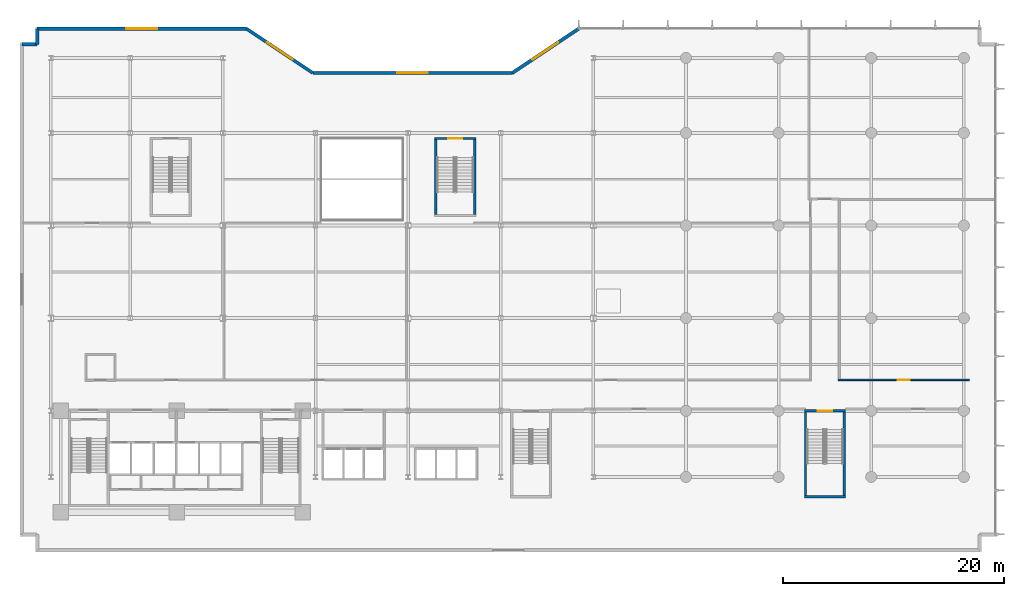
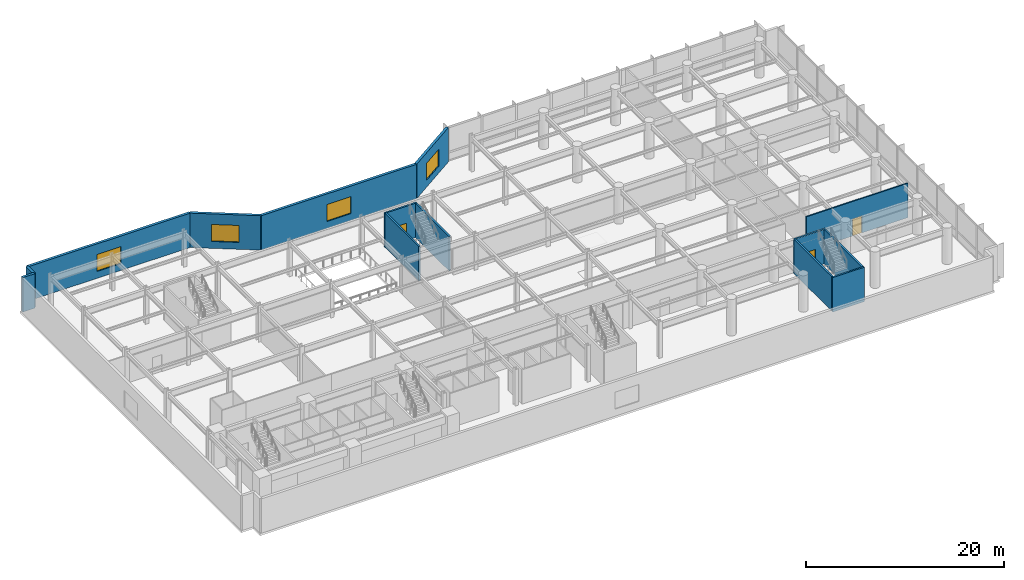
# One storey, part 17 of 26: 14 walls, 4 windows, 3 doors, 7 openings.
"""IFC4 building model written with IfcOpenShell, lengths in metres."""

from ifc_helpers import new_model, si_unit, direction, frame, frame_2d, origin, place, context, subcontext, project, spatial, rectangle, extrude, material, layer, layer_set, type_object, element, fill, save


model = new_model("IFC4")

# Units and contexts
model_context = context("Model", 3, precision=1e-05, world=origin(), true_north=direction((0.0, 1.0)))
body_context = subcontext(model_context, "Body", "Model", "MODEL_VIEW")
ifc_project = project(units=[si_unit("LENGTHUNIT", "METRE"), si_unit("AREAUNIT", "SQUARE_METRE"), si_unit("VOLUMEUNIT", "CUBIC_METRE"), si_unit("PLANEANGLEUNIT", "RADIAN"), si_unit("MASSUNIT", "GRAM", prefix="KILO")], contexts=[model_context])

# Site, building, storey
site_placement = place(None, origin())
site = spatial("IfcSite", under=ifc_project, at=site_placement, CompositionType="ELEMENT")
building_placement = place(site_placement, origin())
building = spatial("IfcBuilding", under=site, at=building_placement, Name="Varnakote Quay Hospital", CompositionType="ELEMENT")
storey_placement = place(building_placement, frame((0.0, 0.0, 4.5)))
storey = spatial("IfcBuildingStorey", under=building, at=storey_placement, Name="L01", CompositionType="ELEMENT", Elevation=4.5)

# Wall, opening, window
ifc_material_1 = material(Name="Precast concrete N50 (f'c 50 MPa)", Category="concrete")
ifc_layer_1 = layer(ifc_material_1, 0.300048828125)
ifc_layer_set_1 = layer_set([ifc_layer_1], Name="Precast concrete N50 (f'c 50 MPa)")
wall_type_1 = type_object("IfcWallType", Name="WL-EXT-BRICK-300", PredefinedType="STANDARD", material=ifc_layer_set_1)
wall_1_placement = place(storey_placement, frame((49.04833984375, 46.639892578125, 0.0), z_axis=(0.0, 0.0, 1.0), x_axis=(-0.832050294338, -0.554700196225, 0.0)))
wall_1 = element("IfcWall", 1, at=wall_1_placement, inside=storey, type_object=wall_type_1, Name="L01 Brick-Faced Precast Exterior Wall", PredefinedType="STANDARD", context=body_context, shape_type="SweptSolid", body=[
    extrude(rectangle(XDim=7.211181640625, YDim=0.300048828125, at=frame_2d((3.60546875, 0.0))), origin(), (0.0, 0.0, 1.0), 4.25),
])
opening_1_placement = place(wall_1_placement, frame((2.20556640625, 0.0, 0.85009765625)))
opening_1 = element("IfcOpeningElement", 2, at=opening_1_placement, cuts=wall_1, Name="Opening WN-0008", PredefinedType="OPENING", context=body_context, shape_type="SweptSolid", body=[
    extrude(rectangle(XDim=2.800048828125, YDim=2.10009765625, at=frame_2d((1.39990234375, 1.050048828125))), frame((0.0, 0.159912109375, 0.0), z_axis=(0.0, -1.0, 0.0), x_axis=(1.0, 0.0, 0.0)), (0.0, 0.0, 1.0), 0.320068359375),
])
ifc_material_2 = material(Name="Double-glazed acoustic laminated glass", Category="glass")
window_type = type_object("IfcWindowType", Name="WIN-POD-2800x2100", PartitioningType="SINGLE_PANEL", PredefinedType="WINDOW", material=ifc_material_2)
window_1_placement = place(opening_1_placement, origin())
window_1 = element("IfcWindow", 3, at=window_1_placement, inside=storey, type_object=window_type, Name="L01 Solar-Control Clinical Window", OverallHeight=2.10009765625, OverallWidth=2.800048828125, PartitioningType="SINGLE_PANEL", PredefinedType="WINDOW", context=body_context, shape_type="SweptSolid", body=[
    extrude(rectangle(XDim=2.800048828125, YDim=2.10009765625, at=frame_2d((1.39990234375, 1.050048828125))), frame((0.0, 0.030029296875, 0.0), z_axis=(0.0, -1.0, 0.0), x_axis=(1.0, 0.0, 0.0)), (0.0, 0.0, 1.0), 0.06005859375),
])
fill(opening_1, window_1)

wall_2_placement = place(storey_placement, frame((43.04833984375, 42.639892578125, 0.0), z_axis=(0.0, 0.0, 1.0), x_axis=(-1.0, 0.0, 0.0)))
wall_2 = element("IfcWall", 4, at=wall_2_placement, inside=storey, type_object=wall_type_1, Name="L01 Brick-Faced Precast Exterior Wall", PredefinedType="STANDARD", context=body_context, shape_type="SweptSolid", body=[
    extrude(rectangle(XDim=18.0966796875, YDim=0.300048828125, at=frame_2d((9.04833984375, 0.0))), origin(), (0.0, 0.0, 1.0), 4.25),
])
opening_2_placement = place(wall_2_placement, frame((7.6484375, 0.0, 0.85009765625)))
opening_2 = element("IfcOpeningElement", 5, at=opening_2_placement, cuts=wall_2, Name="Opening WN-0009", PredefinedType="OPENING", context=body_context, shape_type="SweptSolid", body=[
    extrude(rectangle(XDim=2.800048828125, YDim=2.10009765625, at=frame_2d((1.39990234375, 1.050048828125))), frame((0.0, 0.159912109375, 0.0), z_axis=(0.0, -1.0, 0.0), x_axis=(1.0, 0.0, 0.0)), (0.0, 0.0, 1.0), 0.320068359375),
])
window_2_placement = place(opening_2_placement, origin())
window_2 = element("IfcWindow", 6, at=window_2_placement, inside=storey, type_object=window_type, Name="L01 Solar-Control Clinical Window", OverallHeight=2.10009765625, OverallWidth=2.800048828125, PartitioningType="SINGLE_PANEL", PredefinedType="WINDOW", context=body_context, shape_type="SweptSolid", body=[
    extrude(rectangle(XDim=2.800048828125, YDim=2.10009765625, at=frame_2d((1.39990234375, 1.050048828125))), frame((0.0, 0.030029296875, 0.0), z_axis=(0.0, -1.0, 0.0), x_axis=(1.0, 0.0, 0.0)), (0.0, 0.0, 1.0), 0.06005859375),
])
fill(opening_2, window_2)

wall_3_placement = place(storey_placement, frame((24.95166015625, 42.639892578125, 0.0), z_axis=(0.0, 0.0, 1.0), x_axis=(-0.832050294338, 0.554700196225, 0.0)))
wall_3 = element("IfcWall", 7, at=wall_3_placement, inside=storey, type_object=wall_type_1, Name="L01 Brick-Faced Precast Exterior Wall", PredefinedType="STANDARD", context=body_context, shape_type="SweptSolid", body=[
    extrude(rectangle(XDim=7.211181640625, YDim=0.300048828125, at=frame_2d((3.60546875, 0.0))), origin(), (0.0, 0.0, 1.0), 4.25),
])
opening_3_placement = place(wall_3_placement, frame((2.20556640625, 0.0, 0.85009765625)))
opening_3 = element("IfcOpeningElement", 8, at=opening_3_placement, cuts=wall_3, Name="Opening WN-0010", PredefinedType="OPENING", context=body_context, shape_type="SweptSolid", body=[
    extrude(rectangle(XDim=2.800048828125, YDim=2.10009765625, at=frame_2d((1.39990234375, 1.050048828125))), frame((0.0, 0.159912109375, 0.0), z_axis=(0.0, -1.0, 0.0), x_axis=(1.0, 0.0, 0.0)), (0.0, 0.0, 1.0), 0.320068359375),
])
window_3_placement = place(opening_3_placement, origin())
window_3 = element("IfcWindow", 9, at=window_3_placement, inside=storey, type_object=window_type, Name="L01 Solar-Control Clinical Window", OverallHeight=2.10009765625, OverallWidth=2.800048828125, PartitioningType="SINGLE_PANEL", PredefinedType="WINDOW", context=body_context, shape_type="SweptSolid", body=[
    extrude(rectangle(XDim=2.800048828125, YDim=2.10009765625, at=frame_2d((1.39990234375, 1.050048828125))), frame((0.0, 0.030029296875, 0.0), z_axis=(0.0, -1.0, 0.0), x_axis=(1.0, 0.0, 0.0)), (0.0, 0.0, 1.0), 0.06005859375),
])
fill(opening_3, window_3)

wall_4_placement = place(storey_placement, frame((18.95166015625, 46.639892578125, 0.0), z_axis=(0.0, 0.0, 1.0), x_axis=(-1.0, 0.0, 0.0)))
wall_4 = element("IfcWall", 10, at=wall_4_placement, inside=storey, type_object=wall_type_1, Name="L01 Brick-Faced Precast Exterior Wall", PredefinedType="STANDARD", context=body_context, shape_type="SweptSolid", body=[
    extrude(rectangle(XDim=18.99169921875, YDim=0.300048828125, at=frame_2d((9.495849609375, 0.0))), origin(), (0.0, 0.0, 1.0), 4.25),
])
opening_4_placement = place(wall_4_placement, frame((8.095703125, 0.0, 0.85009765625)))
opening_4 = element("IfcOpeningElement", 11, at=opening_4_placement, cuts=wall_4, Name="Opening WN-0011", PredefinedType="OPENING", context=body_context, shape_type="SweptSolid", body=[
    extrude(rectangle(XDim=2.800048828125, YDim=2.10009765625, at=frame_2d((1.39990234375, 1.050048828125))), frame((0.0, 0.159912109375, 0.0), z_axis=(0.0, -1.0, 0.0), x_axis=(1.0, 0.0, 0.0)), (0.0, 0.0, 1.0), 0.320068359375),
])
window_4_placement = place(opening_4_placement, origin())
window_4 = element("IfcWindow", 12, at=window_4_placement, inside=storey, type_object=window_type, Name="L01 Solar-Control Clinical Window", OverallHeight=2.10009765625, OverallWidth=2.800048828125, PartitioningType="SINGLE_PANEL", PredefinedType="WINDOW", context=body_context, shape_type="SweptSolid", body=[
    extrude(rectangle(XDim=2.800048828125, YDim=2.10009765625, at=frame_2d((1.39990234375, 1.050048828125))), frame((0.0, 0.030029296875, 0.0), z_axis=(0.0, -1.0, 0.0), x_axis=(1.0, 0.0, 0.0)), (0.0, 0.0, 1.0), 0.06005859375),
])
fill(opening_4, window_4)

# Walls
for number, where, z_axis, x_axis, name in (
    (13, (-0.0400390625, 46.639892578125, 0.0), (0.0, 0.0, 1.0), (0.0, -1.0, 0.0), "L01 Brick-Faced Precast Exterior Wall"),
    (14, (-0.0400390625, 45.239990234375, 0.0), (0.0, 0.0, 1.0), (-1.0, 0.0, 0.0), "L01 Brick-Faced Precast Exterior Wall"),
):
    element("IfcWall", number, at=place(storey_placement, frame(where, z_axis=z_axis, x_axis=x_axis)), inside=storey, type_object=wall_type_1, Name=name, PredefinedType="STANDARD", context=body_context, shape_type="SweptSolid", body=[
        extrude(rectangle(XDim=1.39990234375, YDim=0.300048828125, at=frame_2d((0.699951171875, 0.0))), origin(), (0.0, 0.0, 1.0), 4.25),
    ])
ifc_material_3 = material(Name="Concrete N50 (f'c 50 MPa)", Category="concrete")
ifc_layer_2 = layer(ifc_material_3, 0.199951171875)
ifc_layer_set_2 = layer_set([ifc_layer_2], Name="Concrete N50 (f'c 50 MPa)")
wall_type_2 = type_object("IfcWallType", Name="WL-SHAFT-N50-200", PredefinedType="SHEAR", material=ifc_layer_set_2)
wall_5_placement = place(storey_placement, frame((69.550048828125, 4.199951171875, 0.0), z_axis=(0.0, 0.0, 1.0), x_axis=(1.0, 0.0, 0.0)))
element("IfcWall", 15, at=wall_5_placement, inside=storey, type_object=wall_type_2, Name="L01 Stair ST6 South Shaft Wall", PredefinedType="SHEAR", context=body_context, shape_type="SweptSolid", body=[
    extrude(rectangle(XDim=3.699951171875, YDim=0.199951171875, at=frame_2d((1.85009765625, 0.0))), origin(), (0.0, 0.0, 1.0), 4.25),
])
for number, where, z_axis, x_axis, name in (
    (16, (69.64990234375, 4.300048828125, 0.0), (0.0, 0.0, 1.0), (0.0, 1.0, 0.0), "L01 Stair ST6 West Shaft Wall"),
    (17, (73.14990234375, 4.300048828125, 0.0), (0.0, 0.0, 1.0), (0.0, 1.0, 0.0), "L01 Stair ST6 East Shaft Wall"),
):
    element("IfcWall", number, at=place(storey_placement, frame(where, z_axis=z_axis, x_axis=x_axis)), inside=storey, type_object=wall_type_2, Name=name, PredefinedType="SHEAR", context=body_context, shape_type="SweptSolid", body=[
        extrude(rectangle(XDim=7.599853515625, YDim=0.199951171875, at=frame_2d((3.7998046875, 0.0))), origin(), (0.0, 0.0, 1.0), 4.25),
    ])

# Wall, opening, door
wall_6_placement = place(storey_placement, frame((69.550048828125, 12.0, 0.0), z_axis=(0.0, 0.0, 1.0), x_axis=(1.0, 0.0, 0.0)))
wall_6 = element("IfcWall", 18, at=wall_6_placement, inside=storey, type_object=wall_type_2, Name="L01 Stair ST6 Exit Wall", PredefinedType="SHEAR", context=body_context, shape_type="SweptSolid", body=[
    extrude(rectangle(XDim=3.699951171875, YDim=0.199951171875, at=frame_2d((1.85009765625, 0.0))), origin(), (0.0, 0.0, 1.0), 4.25),
])
opening_5_placement = place(wall_6_placement, frame((1.199951171875, 0.0, 0.0)))
opening_5 = element("IfcOpeningElement", 19, at=opening_5_placement, cuts=wall_6, Name="Opening D-ST6-L01", PredefinedType="OPENING", context=body_context, shape_type="SweptSolid", body=[
    extrude(rectangle(XDim=1.300048828125, YDim=2.14990234375, at=frame_2d((0.64990234375, 1.074951171875))), frame((0.0, 0.10986328125, 0.0), z_axis=(0.0, -1.0, 0.0), x_axis=(1.0, 0.0, 0.0)), (0.0, 0.0, 1.0), 0.219970703125),
])
ifc_material_4 = material(Name="Fire-rated ceramic-glazed timber exit door", Category="wood")
door_type_1 = type_object("IfcDoorType", Name="DR-STAIR-FD60S-1300x2150", OperationType="NOTDEFINED", PredefinedType="DOOR", material=ifc_material_4)
door_1_placement = place(opening_5_placement, origin())
door_1 = element("IfcDoor", 20, at=door_1_placement, inside=storey, type_object=door_type_1, Name="L01 Stair ST6 Fire Exit Door", OperationType="SINGLE_SWING_RIGHT", OverallHeight=2.14990234375, OverallWidth=1.300048828125, PredefinedType="DOOR", context=body_context, shape_type="SweptSolid", body=[
    extrude(rectangle(XDim=1.300048828125, YDim=2.14990234375, at=frame_2d((0.64990234375, 1.074951171875))), frame((0.0, 0.02490234375, 0.0), z_axis=(0.0, -1.0, 0.0), x_axis=(1.0, 0.0, 0.0)), (0.0, 0.0, 1.0), 0.050048828125),
])
fill(opening_5, door_1)

# Walls
for number, where, z_axis, x_axis, name in (
    (21, (36.10009765625, 29.800048828125, 0.0), (0.0, 0.0, 1.0), (0.0, 1.0, 0.0), "L01 Stair ST5 West Shaft Wall"),
    (22, (39.639892578125, 29.800048828125, 0.0), (0.0, 0.0, 1.0), (0.0, 1.0, 0.0), "L01 Stair ST5 East Shaft Wall"),
):
    element("IfcWall", number, at=place(storey_placement, frame(where, z_axis=z_axis, x_axis=x_axis)), inside=storey, type_object=wall_type_2, Name=name, PredefinedType="SHEAR", context=body_context, shape_type="SweptSolid", body=[
        extrude(rectangle(XDim=6.800048828125, YDim=0.199951171875, at=frame_2d((3.39990234375, 0.0))), origin(), (0.0, 0.0, 1.0), 4.25),
    ])

# Wall, opening, door
wall_7_placement = place(storey_placement, frame((36.0, 36.699951171875, 0.0), z_axis=(0.0, 0.0, 1.0), x_axis=(1.0, 0.0, 0.0)))
wall_7 = element("IfcWall", 23, at=wall_7_placement, inside=storey, type_object=wall_type_2, Name="L01 Stair ST5 Exit Wall", PredefinedType="SHEAR", context=body_context, shape_type="SweptSolid", body=[
    extrude(rectangle(XDim=3.739990234375, YDim=0.199951171875, at=frame_2d((1.8701171875, 0.0))), origin(), (0.0, 0.0, 1.0), 4.25),
])
opening_6_placement = place(wall_7_placement, frame((1.219970703125, 0.0, 0.0)))
opening_6 = element("IfcOpeningElement", 24, at=opening_6_placement, cuts=wall_7, Name="Opening D-ST5-L01", PredefinedType="OPENING", context=body_context, shape_type="SweptSolid", body=[
    extrude(rectangle(XDim=1.300048828125, YDim=2.14990234375, at=frame_2d((0.64990234375, 1.074951171875))), frame((0.0, 0.10986328125, 0.0), z_axis=(0.0, -1.0, 0.0), x_axis=(1.0, 0.0, 0.0)), (0.0, 0.0, 1.0), 0.219970703125),
])
door_2_placement = place(opening_6_placement, origin())
door_2 = element("IfcDoor", 25, at=door_2_placement, inside=storey, type_object=door_type_1, Name="L01 Stair ST5 Fire Exit Door", OperationType="SINGLE_SWING_RIGHT", OverallHeight=2.14990234375, OverallWidth=1.300048828125, PredefinedType="DOOR", context=body_context, shape_type="SweptSolid", body=[
    extrude(rectangle(XDim=1.300048828125, YDim=2.14990234375, at=frame_2d((0.64990234375, 1.074951171875))), frame((0.0, 0.02490234375, 0.0), z_axis=(0.0, -1.0, 0.0), x_axis=(1.0, 0.0, 0.0)), (0.0, 0.0, 1.0), 0.050048828125),
])
fill(opening_6, door_2)

ifc_material_5 = material(Name="Fire-rated clinical gypsum partition", Category="gypsum")
ifc_layer_3 = layer(ifc_material_5, 0.14990234375)
ifc_layer_set_3 = layer_set([ifc_layer_3], Name="Fire-rated clinical gypsum partition")
wall_type_3 = type_object("IfcWallType", Name="WL-WARD-150", PredefinedType="PARTITIONING", material=ifc_layer_set_3)
wall_8_placement = place(storey_placement, frame((84.5, 14.800048828125, 0.0), z_axis=(0.0, 0.0, 1.0), x_axis=(-1.0, 0.0, 0.0)))
wall_8 = element("IfcWall", 26, at=wall_8_placement, inside=storey, type_object=wall_type_3, Name="L01 Clinical Interior Partition", PredefinedType="PARTITIONING", context=body_context, shape_type="SweptSolid", body=[
    extrude(rectangle(XDim=11.89794921875, YDim=0.14990234375, at=frame_2d((5.948974609375, 0.0))), origin(), (0.0, 0.0, 1.0), 4.25),
])
opening_7_placement = place(wall_8_placement, frame((5.39892578125, 0.0, 0.0)))
opening_7 = element("IfcOpeningElement", 27, at=opening_7_placement, cuts=wall_8, Name="Opening D-L01-EPET", PredefinedType="OPENING", context=body_context, shape_type="SweptSolid", body=[
    extrude(rectangle(XDim=1.10009765625, YDim=2.10009765625, at=frame_2d((0.550048828125, 1.050048828125))), frame((0.0, 0.0849609375, 0.0), z_axis=(0.0, -1.0, 0.0), x_axis=(1.0, 0.0, 0.0)), (0.0, 0.0, 1.0), 0.169921875),
])
ifc_material_6 = material(Name="Acoustic timber clinical consult door", Category="wood")
door_type_2 = type_object("IfcDoorType", Name="DR-CLIN-FD30S-1100x2100", OperationType="NOTDEFINED", PredefinedType="DOOR", material=ifc_material_6)
door_3_placement = place(opening_7_placement, origin())
door_3 = element("IfcDoor", 28, at=door_3_placement, inside=storey, type_object=door_type_2, Name="L01 Outpatient Diagnostic Ultrasound Treatment Suite Door", OperationType="SINGLE_SWING_RIGHT", OverallHeight=2.10009765625, OverallWidth=1.10009765625, PredefinedType="DOOR", context=body_context, shape_type="SweptSolid", body=[
    extrude(rectangle(XDim=1.10009765625, YDim=2.10009765625, at=frame_2d((0.550048828125, 1.050048828125))), frame((0.0, 0.02490234375, 0.0), z_axis=(0.0, -1.0, 0.0), x_axis=(1.0, 0.0, 0.0)), (0.0, 0.0, 1.0), 0.050048828125),
])
fill(opening_7, door_3)

save(model, "model.ifc")
